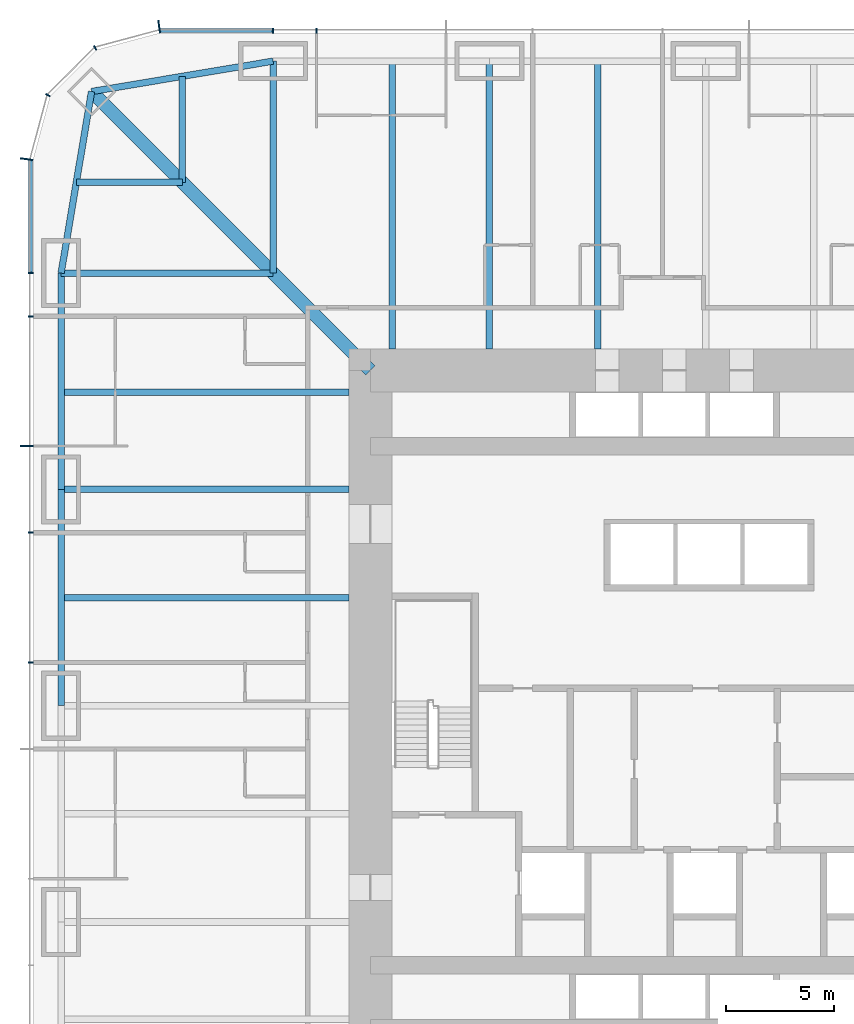
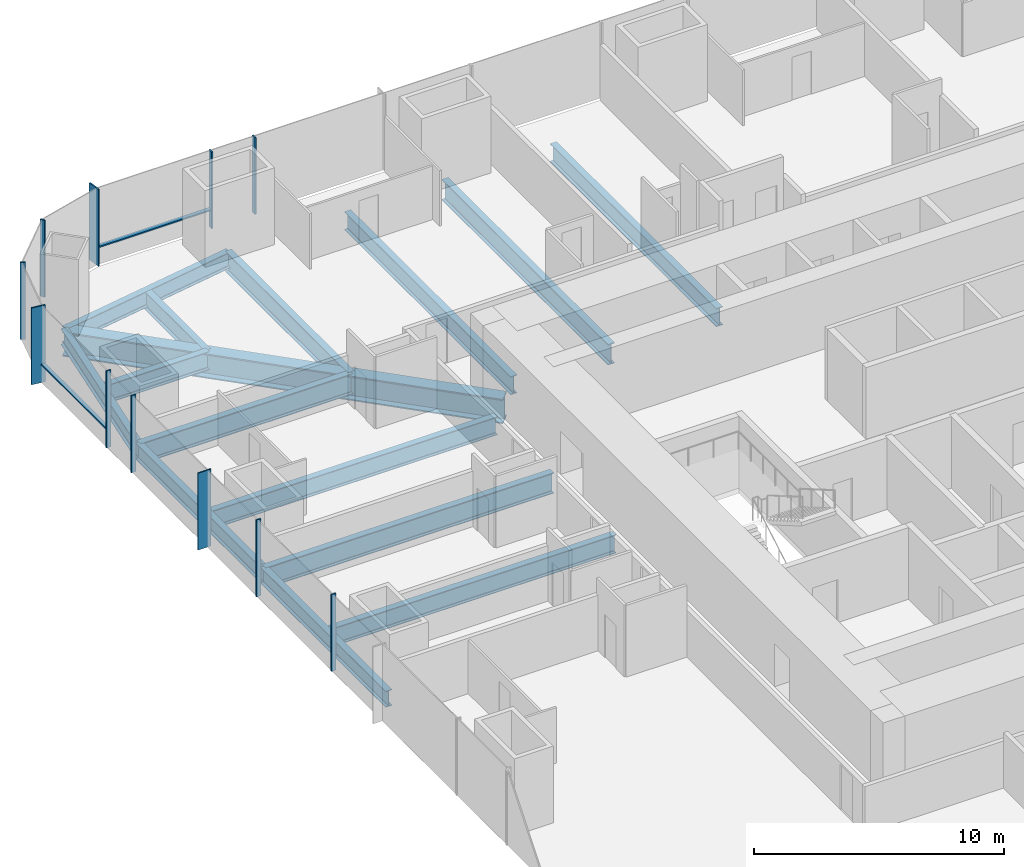
# One storey, part 6 of 16: 15 beams, 13 members, 3 elements without a shape of their own.
"""IFC4 building model written with IfcOpenShell, lengths in metres."""

import ifcopenshell
import ifcopenshell.guid

model = None  # the IFC model being written
_history = None  # IfcOwnerHistory: only IFC2X3 demands one
_inside = {}  # id of a spatial element -> (the spatial element, [elements in it])
_under = {}  # id of a project, library or spatial element -> (it, [spatial elements below it])
_declared = {}  # id of a project -> (the project, [libraries it declares])
_typed = {}  # id of a type object -> (the type object, [elements of that type])
_made_of = {}  # id of a material, layer set ... -> (it, [elements and type objects made of it])


def new_model(schema):
    """Start an empty IFC model of exactly this schema.

    Asked for "IFC4X3", IfcOpenShell would pick the latest addendum, in which some entities
    have other attributes; the version numbers below select the first issue.
    IFC2X3 requires an IfcOwnerHistory on every rooted entity: one is made here for all.
    """
    global model, _history
    if schema == "IFC4X3":
        model = ifcopenshell.file(schema_version=(4, 3, 0, 0))
    else:
        model = ifcopenshell.file(schema=schema)
    _inside.clear()
    _under.clear()
    _declared.clear()
    _typed.clear()
    _made_of.clear()
    _history = None
    if model.schema == "IFC2X3":
        org = make("IfcOrganization", Name="unknown")
        user = make(
            "IfcPersonAndOrganization",
            ThePerson=make("IfcPerson", FamilyName="unknown"),
            TheOrganization=org,
        )
        app = make(
            "IfcApplication",
            ApplicationDeveloper=org,
            Version="unknown",
            ApplicationFullName="unknown",
            ApplicationIdentifier="unknown",
        )
        _history = make(
            "IfcOwnerHistory",
            OwningUser=user,
            OwningApplication=app,
            ChangeAction="ADDED",
            CreationDate=0,
        )
    return model


def make(cls, **values):
    """One entity of the class cls with the attributes given. An attribute that is None is left unset."""
    return model.create_entity(
        cls, **{name: value for name, value in values.items() if value is not None}
    )


def rooted(cls, **values):
    """An entity with a GlobalId (a new one), such as an element, a storey or a relation."""
    return make(cls, GlobalId=ifcopenshell.guid.new(), OwnerHistory=_history, **values)


def si_unit(unit_type, name, prefix=None):
    """IfcSIUnit, for example si_unit("LENGTHUNIT", "METRE", prefix="MILLI")."""
    return make("IfcSIUnit", UnitType=unit_type, Prefix=prefix, Name=name)


def assignment(units):
    """IfcUnitAssignment: the units of a project."""
    return None if units is None else make("IfcUnitAssignment", Units=units)


def point(xyz):
    """IfcCartesianPoint."""
    return None if xyz is None else make("IfcCartesianPoint", Coordinates=xyz)


def direction(xyz):
    """IfcDirection."""
    return None if xyz is None else make("IfcDirection", DirectionRatios=xyz)


def frame(location, z_axis=None, x_axis=None):
    """IfcAxis2Placement3D, a coordinate frame: its origin and axes. An axis left out is left unset."""
    return make(
        "IfcAxis2Placement3D",
        Location=point(location),
        Axis=direction(z_axis),
        RefDirection=direction(x_axis),
    )


def frame_2d(location, x_axis=None):
    """IfcAxis2Placement2D, a coordinate frame in the plane: its origin and x axis."""
    return make(
        "IfcAxis2Placement2D", Location=point(location), RefDirection=direction(x_axis)
    )


def origin():
    """The frame at (0, 0, 0) with its axes left unset."""
    return frame((0.0, 0.0, 0.0))


def origin_2d():
    """The frame at (0, 0) in the plane with its x axis left unset."""
    return frame_2d((0.0, 0.0))


def place(relative_to, where):
    """IfcLocalPlacement: puts the frame where relative to a parent placement (None: the world)."""
    return make(
        "IfcLocalPlacement", PlacementRelTo=relative_to, RelativePlacement=where
    )


def context(
    kind, dimensions, precision=None, world=None, true_north=None, identifier=None
):
    """IfcGeometricRepresentationContext, for example the 3D "Model" context."""
    return make(
        "IfcGeometricRepresentationContext",
        ContextIdentifier=identifier,
        ContextType=kind,
        CoordinateSpaceDimension=dimensions,
        Precision=precision,
        WorldCoordinateSystem=world,
        TrueNorth=true_north,
    )


def subcontext(parent, identifier, kind, view, scale=None):
    """IfcGeometricRepresentationSubContext, for example "Body" below "Model"."""
    return make(
        "IfcGeometricRepresentationSubContext",
        ContextIdentifier=identifier,
        ContextType=kind,
        ParentContext=parent,
        TargetScale=scale,
        TargetView=view,
    )


def project(units=None, contexts=None):
    """IfcProject with its units and contexts."""
    return rooted(
        "IfcProject",
        Name="project",
        RepresentationContexts=contexts,
        UnitsInContext=assignment(units),
    )


def spatial(cls, under=None, at=None, **own):
    """A site, building, storey or space (cls), placed at a placement, below another one or the project."""
    s = rooted(cls, ObjectPlacement=at, **own)
    if under is not None:
        _under.setdefault(under.id(), (under, []))[1].append(s)
    return s


def profile(cls, at=None, kind="AREA", **sizes):
    """A parametric profile (cls). Its sizes go by their IFC names, for example OverallWidth=200.0."""
    return make(cls, ProfileType=kind, Position=at, **sizes)


def rectangle(**sizes):
    """IfcRectangleProfileDef."""
    return profile("IfcRectangleProfileDef", **sizes)


def i_section(**sizes):
    """IfcIShapeProfileDef."""
    return profile("IfcIShapeProfileDef", **sizes)


def extrude(swept, where, along, depth):
    """IfcExtrudedAreaSolid: the profile swept, set in the frame where, extruded along a direction by depth."""
    return make(
        "IfcExtrudedAreaSolid",
        SweptArea=swept,
        Position=where,
        ExtrudedDirection=direction(along),
        Depth=depth,
    )


def shape(context_of_items, identifier, shape_type, items):
    """IfcShapeRepresentation: the items that make up one representation, for example the "Body"."""
    return make(
        "IfcShapeRepresentation",
        ContextOfItems=context_of_items,
        RepresentationIdentifier=identifier,
        RepresentationType=shape_type,
        Items=items,
    )


def material(Name=None, Category=None):
    """IfcMaterial."""
    return make("IfcMaterial", Name=Name, Category=Category)


def material_profile(
    of_material, cross_section, Name=None, Category=None, Priority=None
):
    """IfcMaterialProfile: a cross section and its material."""
    return make(
        "IfcMaterialProfile",
        Name=Name,
        Material=of_material,
        Profile=cross_section,
        Priority=Priority,
        Category=Category,
    )


def profile_set(profiles, Name=None, composite=None):
    """IfcMaterialProfileSet."""
    return make(
        "IfcMaterialProfileSet",
        Name=Name,
        MaterialProfiles=profiles,
        CompositeProfile=composite,
    )


def made_of(thing, what):
    """Note that an element or type object is made of a material, layer set ...; save() writes the relation."""
    if what is not None:
        _made_of.setdefault(what.id(), (what, []))[1].append(thing)
    return thing


def type_object(cls, material=None, **own):
    """A type object (cls), such as IfcWallType, which elements share."""
    return made_of(rooted(cls, **own), material)


def element(
    cls,
    number,
    at=None,
    inside=None,
    cuts=None,
    type_object=None,
    material=None,
    context=None,
    identifier="Body",
    shape_type=None,
    held_by="IfcProductDefinitionShape",
    body=None,
    shapes=None,
    **own,
):
    """One element of the class cls, such as IfcWall. Its Tag is "e" and its number.

    at: its placement. inside: the storey or other place that contains it. cuts: it is an
    opening in that element (IfcRelVoidsElement). A single representation is given by context,
    identifier, shape_type and body (its items); several are given by shapes. held_by: the class
    of the entity that holds the representations. save() writes the other relations.
    """
    e = rooted(cls, Tag="e%d" % number, ObjectPlacement=at, **own)
    if body is not None:
        shapes = [shape(context, identifier, shape_type, body)]
    if shapes is not None:
        e.Representation = make(held_by, Representations=shapes)
    if inside is not None:
        _inside.setdefault(inside.id(), (inside, []))[1].append(e)
    if cuts is not None:
        rooted(
            "IfcRelVoidsElement", RelatingBuildingElement=cuts, RelatedOpeningElement=e
        )
    if type_object is not None:
        _typed.setdefault(type_object.id(), (type_object, []))[1].append(e)
    return made_of(e, material)


def aggregate(whole, parts):
    """IfcRelAggregates: a whole, such as a stair, and the parts it consists of."""
    return rooted("IfcRelAggregates", RelatingObject=whole, RelatedObjects=parts)


def save(model, path):
    """Write the relations noted so far, then the file.

    IfcRelAggregates (storeys below a building ...), IfcRelContainedInSpatialStructure (elements
    in a storey), IfcRelDefinesByType, IfcRelAssociatesMaterial and IfcRelDeclares: one each for
    every whole, place, type object, material and project.
    """
    for whole, parts in _under.values():
        aggregate(whole, parts)
    for where, things in _inside.values():
        rooted(
            "IfcRelContainedInSpatialStructure",
            RelatedElements=things,
            RelatingStructure=where,
        )
    for kind, things in _typed.values():
        rooted("IfcRelDefinesByType", RelatedObjects=things, RelatingType=kind)
    for what, things in _made_of.values():
        rooted("IfcRelAssociatesMaterial", RelatedObjects=things, RelatingMaterial=what)
    for by, libraries in _declared.values():
        rooted("IfcRelDeclares", RelatingContext=by, RelatedDefinitions=libraries)
    model.write(path)


model = new_model("IFC4")

# Units and contexts
model_context = context("Model", 3, precision=1e-05, world=origin(), true_north=direction((0.0, 1.0)))
body_context = subcontext(model_context, "Body", "Model", "MODEL_VIEW")
ifc_project = project(units=[si_unit("LENGTHUNIT", "METRE"), si_unit("AREAUNIT", "SQUARE_METRE"), si_unit("VOLUMEUNIT", "CUBIC_METRE"), si_unit("PLANEANGLEUNIT", "RADIAN"), si_unit("MASSUNIT", "GRAM", prefix="KILO")], contexts=[model_context])

# Site, building, storey
site_placement = place(None, origin())
site = spatial("IfcSite", under=ifc_project, at=site_placement, CompositionType="ELEMENT")
building_placement = place(site_placement, origin())
building = spatial("IfcBuilding", under=site, at=building_placement, Name="Khuree Lantern Residences", CompositionType="ELEMENT")
storey_placement = place(building_placement, frame((0.0, 0.0, 69.75)))
storey = spatial("IfcBuildingStorey", under=building, at=storey_placement, Name="L17", CompositionType="ELEMENT", Elevation=69.75)

# Beams
ifc_material_1 = material(Name="Steel S355", Category="steel")
ifc_material_profile_1 = material_profile(ifc_material_1, i_section(OverallWidth=0.300048828125, OverallDepth=0.889892578125, WebThickness=0.01611328125, FlangeThickness=0.030029296875, FilletRadius=0.030029296875, at=origin_2d()), Name="HE 900 A")
ifc_profile_set_1 = profile_set([ifc_material_profile_1], Name="Steel S355")
beam_type_1 = type_object("IfcBeamType", Name="B-14 SECONDARY BEAM HE 900 A", PredefinedType="BEAM", material=ifc_profile_set_1)
for number, where, z_axis, x_axis, name in (
    (1, (-14.5, 29.800048828125, -0.695068359375), (0.0, -1.0, 0.0), (1.0, 0.0, 0.0), "Secondary beam N1"),
    (2, (-5.0, 29.800048828125, -0.695068359375), (0.0, -1.0, 0.0), (1.0, 0.0, 0.0), "Secondary beam N2"),
    (3, (-29.800048828125, 5.0, -0.695068359375), (1.0, 0.0, 0.0), (0.0, 1.0, 0.0), "Secondary beam W4"),
    (4, (-29.800048828125, 14.5, -0.695068359375), (1.0, 0.0, 0.0), (0.0, 1.0, 0.0), "Secondary beam W5"),
):
    element("IfcBeam", number, at=place(storey_placement, frame(where, z_axis=z_axis, x_axis=x_axis)), inside=storey, type_object=beam_type_1, Name=name, PredefinedType="BEAM", context=body_context, shape_type="SweptSolid", body=[
        extrude(i_section(OverallWidth=0.300048828125, OverallDepth=0.889892578125, WebThickness=0.01611328125, FlangeThickness=0.030029296875, FilletRadius=0.030029296875, at=origin_2d()), origin(), (0.0, 0.0, 1.0), 13.300048828125),
    ])
for number, where, z_axis, x_axis, name in (
    (5, (-29.09716796875, 24.197021484375, -0.695068359375), (1.0, 0.0, 0.0), (0.0, 1.0, 0.0), "Secondary beam W6"),
    (6, (-24.197021484375, 29.09716796875, -0.695068359375), (0.0, -1.0, 0.0), (1.0, 0.0, 0.0), "Secondary beam N6"),
):
    element("IfcBeam", number, at=place(storey_placement, frame(where, z_axis=z_axis, x_axis=x_axis)), inside=storey, type_object=beam_type_1, Name=name, PredefinedType="BEAM", context=body_context, shape_type="SweptSolid", body=[
        extrude(i_section(OverallWidth=0.300048828125, OverallDepth=0.889892578125, WebThickness=0.01611328125, FlangeThickness=0.030029296875, FilletRadius=0.030029296875, at=origin_2d()), origin(), (0.0, 0.0, 1.0), 4.900146484375),
    ])
ifc_material_profile_2 = material_profile(ifc_material_1, i_section(OverallWidth=0.300048828125, OverallDepth=0.7900390625, WebThickness=0.014892578125, FlangeThickness=0.028076171875, FilletRadius=0.030029296875, at=origin_2d()), Name="HE 800 A")
ifc_profile_set_2 = profile_set([ifc_material_profile_2], Name="Steel S355")
beam_type_2 = type_object("IfcBeamType", Name="E-14 SPANDREL BEAM HE 800 A", PredefinedType="SPANDREL", material=ifc_profile_set_2)
for number, where, z_axis, x_axis, name in (
    (7, (-29.800048828125, 0.0, -0.64501953125), (0.0, 1.0, 0.0), (-1.0, 0.0, 0.0), "Spandrel beam W4"),
    (8, (-29.800048828125, 10.0, -0.64501953125), (0.0, 1.0, 0.0), (-1.0, 0.0, 0.0), "Spandrel beam W5"),
):
    element("IfcBeam", number, at=place(storey_placement, frame(where, z_axis=z_axis, x_axis=x_axis)), inside=storey, type_object=beam_type_2, Name=name, PredefinedType="SPANDREL", context=body_context, shape_type="SweptSolid", body=[
        extrude(i_section(OverallWidth=0.300048828125, OverallDepth=0.7900390625, WebThickness=0.014892578125, FlangeThickness=0.028076171875, FilletRadius=0.030029296875, at=origin_2d()), origin(), (0.0, 0.0, 1.0), 10.0),
    ])
for number, where, z_axis, x_axis, name in (
    (9, (-29.800048828125, 20.0, -0.64501953125), (0.165199022349, 0.986260251158, 0.0), (-0.986260251158, 0.165199022349, 0.0), "Spandrel beam W6"),
    (10, (-28.39404296875, 28.39404296875, -0.64501953125), (0.986260251158, 0.165199022349, 0.0), (-0.165199022349, 0.986260251158, 0.0), "Spandrel beam N6"),
):
    element("IfcBeam", number, at=place(storey_placement, frame(where, z_axis=z_axis, x_axis=x_axis)), inside=storey, type_object=beam_type_2, Name=name, PredefinedType="SPANDREL", context=body_context, shape_type="SweptSolid", body=[
        extrude(i_section(OverallWidth=0.300048828125, OverallDepth=0.7900390625, WebThickness=0.014892578125, FlangeThickness=0.028076171875, FilletRadius=0.030029296875, at=origin_2d()), origin(), (0.0, 0.0, 1.0), 8.510986328125),
    ])

# Curtain wall, member
ifc_material_2 = material(Name="Bronze anodised aluminium", Category="aluminium")
curtain_wall_type_1 = type_object("IfcCurtainWallType", Name="CW-T2 TOWER CORNER CURTAIN WALL", PredefinedType="USERDEFINED", material=ifc_material_2)
curtain_wall_1_placement = place(storey_placement, origin())
curtain_wall_1 = element("IfcCurtainWall", 11, at=curtain_wall_1_placement, inside=storey, type_object=curtain_wall_type_1, Name="L17 NORTH-WEST CORNER CURTAIN WALL", ObjectType="Faceted corner curtain wall", PredefinedType="USERDEFINED")
ifc_material_profile_3 = material_profile(ifc_material_2, rectangle(XDim=0.06494140625, YDim=0.60009765625, at=origin_2d()), Name="F1 65X600")
ifc_profile_set_3 = profile_set([ifc_material_profile_3], Name="Bronze anodised aluminium")
member_type_1 = type_object("IfcMemberType", Name="F1 BRONZE FIN MULLION TOWER 65X600", PredefinedType="MULLION", material=ifc_profile_set_3)
member_1_placement = place(storey_placement, frame((-25.269775390625, 31.400146484375, 0.0), z_axis=(0.0, 0.0, 1.0), x_axis=(-0.991444852794, -0.130526257387, 0.0)))
member_1 = element("IfcMember", 12, at=member_1_placement, type_object=member_type_1, Name="L17 NORTH-WEST CORNER FIN MULLION 29", PredefinedType="MULLION", context=body_context, shape_type="SweptSolid", body=[
    extrude(rectangle(XDim=0.06494140625, YDim=0.60009765625, at=origin_2d()), origin(), (0.0, 0.0, 1.0), 3.75),
])

# Curtain wall, members
curtain_wall_type_2 = type_object("IfcCurtainWallType", Name="CW-T1 TOWER FACE CURTAIN WALL", PredefinedType="USERDEFINED", material=ifc_material_2)
curtain_wall_2_placement = place(storey_placement, origin())
curtain_wall_2 = element("IfcCurtainWall", 13, at=curtain_wall_2_placement, inside=storey, type_object=curtain_wall_type_2, Name="L17 WEST FACE CURTAIN WALL", ObjectType="Stick-built curtain wall", PredefinedType="USERDEFINED")
member_2_placement = place(storey_placement, frame((-31.400146484375, 25.269775390625, 0.0), z_axis=(0.0, 0.0, 1.0), x_axis=(-0.130526257387, -0.991444852794, 0.0)))
member_2 = element("IfcMember", 14, at=member_2_placement, type_object=member_type_1, Name="L17 WEST FACE FIN MULLION 32", PredefinedType="MULLION", context=body_context, shape_type="SweptSolid", body=[
    extrude(rectangle(XDim=0.06494140625, YDim=0.60009765625, at=origin_2d()), origin(), (0.0, 0.0, 1.0), 3.75),
])
member_3_placement = place(storey_placement, frame((-31.39990234375, 12.0, 0.0), z_axis=(0.0, 0.0, 1.0), x_axis=(0.0, -1.0, 0.0)))
member_3 = element("IfcMember", 15, at=member_3_placement, type_object=member_type_1, Name="L17 WEST FACE FIN MULLION 35", PredefinedType="MULLION", context=body_context, shape_type="SweptSolid", body=[
    extrude(rectangle(XDim=0.06494140625, YDim=0.60009765625, at=origin_2d()), origin(), (0.0, 0.0, 1.0), 3.75),
])

# Beams
ifc_material_profile_4 = material_profile(ifc_material_1, i_section(OverallWidth=0.302001953125, OverallDepth=1.008056640625, WebThickness=0.02099609375, FlangeThickness=0.0400390625, FilletRadius=0.030029296875, at=origin_2d()), Name="HE 1000 M")
ifc_profile_set_4 = profile_set([ifc_material_profile_4], Name="Steel S355")
beam_type_3 = type_object("IfcBeamType", Name="G-14 GIRDER HE 1000 M", PredefinedType="BEAM", material=ifc_profile_set_4)
beam_1_placement = place(storey_placement, frame((-20.0, 29.800048828125, -0.75390625), z_axis=(0.0, -1.0, 0.0), x_axis=(1.0, 0.0, 0.0)))
element("IfcBeam", 16, at=beam_1_placement, inside=storey, type_object=beam_type_3, Name="Girder N1", PredefinedType="BEAM", context=body_context, shape_type="SweptSolid", body=[
    extrude(i_section(OverallWidth=0.302001953125, OverallDepth=1.008056640625, WebThickness=0.02099609375, FlangeThickness=0.0400390625, FilletRadius=0.030029296875, at=origin_2d()), origin(), (0.0, 0.0, 1.0), 9.800048828125),
])
for number, where, z_axis, x_axis, name in (
    (17, (-10.0, 29.800048828125, -0.75390625), (0.0, -1.0, 0.0), (1.0, 0.0, 0.0), "Girder N2"),
    (18, (-29.800048828125, 10.0, -0.75390625), (1.0, 0.0, 0.0), (0.0, 1.0, 0.0), "Girder W4"),
):
    element("IfcBeam", number, at=place(storey_placement, frame(where, z_axis=z_axis, x_axis=x_axis)), inside=storey, type_object=beam_type_3, Name=name, PredefinedType="BEAM", context=body_context, shape_type="SweptSolid", body=[
        extrude(i_section(OverallWidth=0.302001953125, OverallDepth=1.008056640625, WebThickness=0.02099609375, FlangeThickness=0.0400390625, FilletRadius=0.030029296875, at=origin_2d()), origin(), (0.0, 0.0, 1.0), 13.300048828125),
    ])
beam_2_placement = place(storey_placement, frame((-29.800048828125, 20.0, -0.75390625), z_axis=(1.0, 0.0, 0.0), x_axis=(0.0, 1.0, 0.0)))
element("IfcBeam", 19, at=beam_2_placement, inside=storey, type_object=beam_type_3, Name="Girder W5", PredefinedType="BEAM", context=body_context, shape_type="SweptSolid", body=[
    extrude(i_section(OverallWidth=0.302001953125, OverallDepth=1.008056640625, WebThickness=0.02099609375, FlangeThickness=0.0400390625, FilletRadius=0.030029296875, at=origin_2d()), origin(), (0.0, 0.0, 1.0), 9.800048828125),
])
ifc_material_profile_5 = material_profile(ifc_material_1, i_section(OverallWidth=0.60009765625, OverallDepth=1.199951171875, WebThickness=0.030029296875, FlangeThickness=0.06005859375, at=origin_2d()), Name="WELDED I 1200X600X30X60")
ifc_profile_set_5 = profile_set([ifc_material_profile_5], Name="Steel S355")
beam_type_4 = type_object("IfcBeamType", Name="GD-14 CORNER GIRDER WELDED I 1200X600X30X60", PredefinedType="BEAM", material=ifc_profile_set_5)
beam_3_placement = place(storey_placement, frame((-28.39404296875, 28.39404296875, -0.85009765625), z_axis=(0.707106781187, -0.707106781187, 0.0), x_axis=(0.707106781187, 0.707106781187, 0.0)))
element("IfcBeam", 20, at=beam_3_placement, inside=storey, type_object=beam_type_4, Name="Corner girder NW", PredefinedType="BEAM", context=body_context, shape_type="SweptSolid", body=[
    extrude(i_section(OverallWidth=0.60009765625, OverallDepth=1.199951171875, WebThickness=0.030029296875, FlangeThickness=0.06005859375, at=origin_2d()), origin(), (0.0, 0.0, 1.0), 18.23486328125),
])

# Curtain wall, members
curtain_wall_3_placement = place(storey_placement, origin())
curtain_wall_3 = element("IfcCurtainWall", 21, at=curtain_wall_3_placement, inside=storey, type_object=curtain_wall_type_2, Name="L17 NORTH FACE CURTAIN WALL", ObjectType="Stick-built curtain wall", PredefinedType="USERDEFINED")
ifc_material_profile_6 = material_profile(ifc_material_2, rectangle(XDim=0.06494140625, YDim=0.219970703125, at=origin_2d()), Name="M1 65X220")
ifc_profile_set_6 = profile_set([ifc_material_profile_6], Name="Bronze anodised aluminium")
member_type_2 = type_object("IfcMemberType", Name="M1 BRONZE MULLION TOWER 65X220", PredefinedType="MULLION", material=ifc_profile_set_6)
member_4_placement = place(storey_placement, frame((-18.0, 31.2099609375, 0.0), z_axis=(0.0, 0.0, 1.0), x_axis=(-1.0, 0.0, 0.0)))
member_4 = element("IfcMember", 22, at=member_4_placement, type_object=member_type_2, Name="L17 NORTH FACE MULLION 27", PredefinedType="MULLION", context=body_context, shape_type="SweptSolid", body=[
    extrude(rectangle(XDim=0.06494140625, YDim=0.219970703125, at=origin_2d()), origin(), (0.0, 0.0, 1.0), 3.75),
])
member_5_placement = place(storey_placement, frame((-20.0, 31.2099609375, 0.0), z_axis=(0.0, 0.0, 1.0), x_axis=(-1.0, 0.0, 0.0)))
member_5 = element("IfcMember", 23, at=member_5_placement, type_object=member_type_2, Name="L17 NORTH FACE MULLION 28", PredefinedType="MULLION", context=body_context, shape_type="SweptSolid", body=[
    extrude(rectangle(XDim=0.06494140625, YDim=0.219970703125, at=origin_2d()), origin(), (0.0, 0.0, 1.0), 3.75),
])

# Member
member_6_placement = place(storey_placement, frame((-28.22998046875, 30.41162109375, 0.0), z_axis=(0.0, 0.0, 1.0), x_axis=(-0.86602537092, -0.500000056923, 0.0)))
member_6 = element("IfcMember", 24, at=member_6_placement, type_object=member_type_2, Name="L17 NORTH-WEST CORNER MULLION 30", PredefinedType="MULLION", context=body_context, shape_type="SweptSolid", body=[
    extrude(rectangle(XDim=0.06494140625, YDim=0.219970703125, at=origin_2d()), origin(), (0.0, 0.0, 1.0), 3.75),
])

member_7_placement = place(storey_placement, frame((-30.41162109375, 28.22998046875, 0.0), z_axis=(0.0, 0.0, 1.0), x_axis=(-0.500000056923, -0.86602537092, 0.0)))
member_7 = element("IfcMember", 25, at=member_7_placement, type_object=member_type_2, Name="L17 NORTH-WEST CORNER MULLION 31", PredefinedType="MULLION", context=body_context, shape_type="SweptSolid", body=[
    extrude(rectangle(XDim=0.06494140625, YDim=0.219970703125, at=origin_2d()), origin(), (0.0, 0.0, 1.0), 3.75),
])

aggregate(curtain_wall_1, [member_1, member_6, member_7])

member_8_placement = place(storey_placement, frame((-31.2099609375, 20.0, 0.0), z_axis=(0.0, 0.0, 1.0), x_axis=(0.0, -1.0, 0.0)))
member_8 = element("IfcMember", 26, at=member_8_placement, type_object=member_type_2, Name="L17 WEST FACE MULLION 33", PredefinedType="MULLION", context=body_context, shape_type="SweptSolid", body=[
    extrude(rectangle(XDim=0.06494140625, YDim=0.219970703125, at=origin_2d()), origin(), (0.0, 0.0, 1.0), 3.75),
])

member_9_placement = place(storey_placement, frame((-31.2099609375, 18.0, 0.0), z_axis=(0.0, 0.0, 1.0), x_axis=(0.0, -1.0, 0.0)))
member_9 = element("IfcMember", 27, at=member_9_placement, type_object=member_type_2, Name="L17 WEST FACE MULLION 34", PredefinedType="MULLION", context=body_context, shape_type="SweptSolid", body=[
    extrude(rectangle(XDim=0.06494140625, YDim=0.219970703125, at=origin_2d()), origin(), (0.0, 0.0, 1.0), 3.75),
])

member_10_placement = place(storey_placement, frame((-31.2099609375, 8.0, 0.0), z_axis=(0.0, 0.0, 1.0), x_axis=(0.0, -1.0, 0.0)))
member_10 = element("IfcMember", 28, at=member_10_placement, type_object=member_type_2, Name="L17 WEST FACE MULLION 36", PredefinedType="MULLION", context=body_context, shape_type="SweptSolid", body=[
    extrude(rectangle(XDim=0.06494140625, YDim=0.219970703125, at=origin_2d()), origin(), (0.0, 0.0, 1.0), 3.75),
])

member_11_placement = place(storey_placement, frame((-31.2099609375, 2.0, 0.0), z_axis=(0.0, 0.0, 1.0), x_axis=(0.0, -1.0, 0.0)))
member_11 = element("IfcMember", 29, at=member_11_placement, type_object=member_type_2, Name="L17 WEST FACE MULLION 37", PredefinedType="MULLION", context=body_context, shape_type="SweptSolid", body=[
    extrude(rectangle(XDim=0.06494140625, YDim=0.219970703125, at=origin_2d()), origin(), (0.0, 0.0, 1.0), 3.75),
])

ifc_material_profile_7 = material_profile(ifc_material_2, rectangle(XDim=0.179931640625, YDim=0.06494140625, at=origin_2d()), Name="T1 180X65")
ifc_profile_set_7 = profile_set([ifc_material_profile_7], Name="Bronze anodised aluminium")
member_type_3 = type_object("IfcMemberType", Name="TRANSOM T1 TOWER 180X65", PredefinedType="USERDEFINED", material=ifc_profile_set_7)
member_12_placement = place(storey_placement, frame((-20.032470703125, 31.219970703125, 0.89990234375), z_axis=(-1.0, 0.0, 0.0), x_axis=(0.0, -1.0, 0.0)))
member_12 = element("IfcMember", 30, at=member_12_placement, type_object=member_type_3, Name="L17 NORTH FACE TRANSOM 28.1", ObjectType="Transom", PredefinedType="USERDEFINED", context=body_context, shape_type="SweptSolid", body=[
    extrude(rectangle(XDim=0.179931640625, YDim=0.06494140625, at=origin_2d()), origin(), (0.0, 0.0, 1.0), 5.1689453125),
])

aggregate(curtain_wall_3, [member_4, member_5, member_12])

member_13_placement = place(storey_placement, frame((-31.219970703125, 25.201416015625, 0.89990234375), z_axis=(0.0, -1.0, 0.0), x_axis=(1.0, 0.0, 0.0)))
member_13 = element("IfcMember", 31, at=member_13_placement, type_object=member_type_3, Name="L17 WEST FACE TRANSOM 32.1", ObjectType="Transom", PredefinedType="USERDEFINED", context=body_context, shape_type="SweptSolid", body=[
    extrude(rectangle(XDim=0.179931640625, YDim=0.06494140625, at=origin_2d()), origin(), (0.0, 0.0, 1.0), 5.1689453125),
])

aggregate(curtain_wall_2, [member_2, member_8, member_9, member_3, member_10, member_11, member_13])

save(model, "model.ifc")
